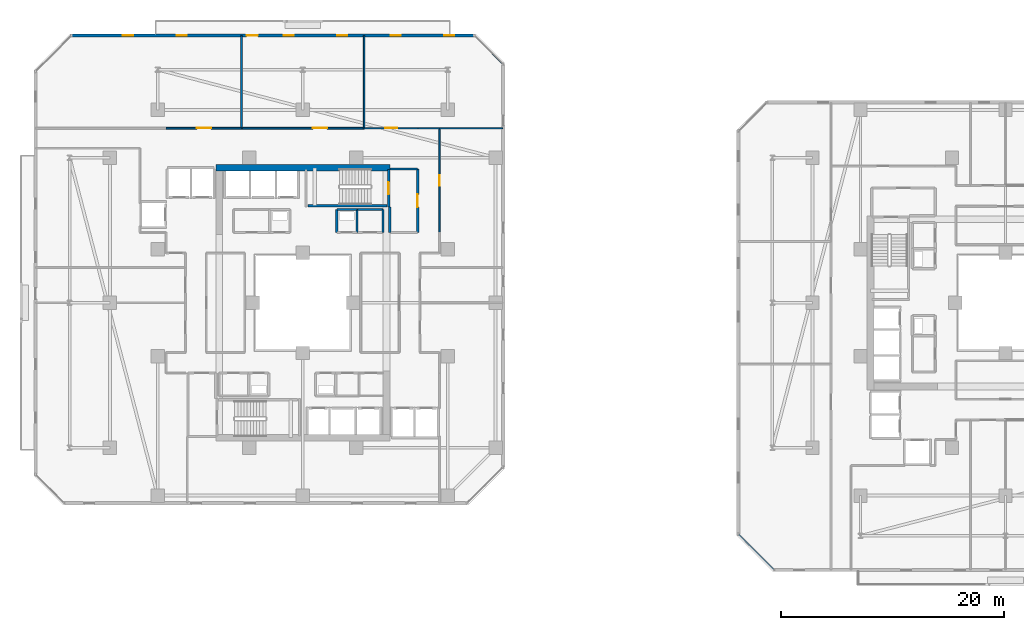
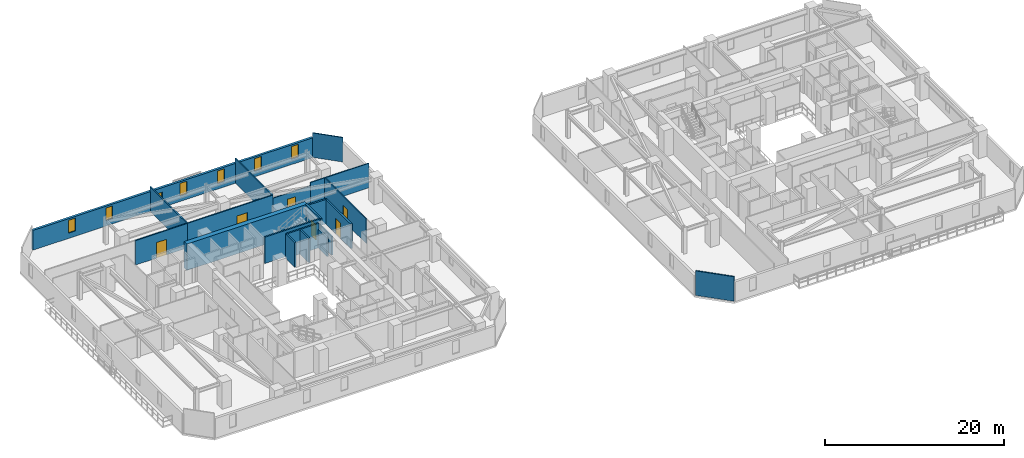
# One storey, part 22 of 33: 22 walls, 7 doors, 6 windows, 13 openings.
"""IFC4 building model written with IfcOpenShell, lengths in metres."""

from ifc_helpers import new_model, si_unit, direction, frame, frame_2d, origin, place, context, subcontext, project, spatial, rectangle, extrude, material, layer, layer_set, type_object, element, fill, save


model = new_model("IFC4")

# Units and contexts
model_context = context("Model", 3, precision=1e-05, world=origin(), true_north=direction((0.0, 1.0)))
body_context = subcontext(model_context, "Body", "Model", "MODEL_VIEW")
ifc_project = project(units=[si_unit("LENGTHUNIT", "METRE"), si_unit("AREAUNIT", "SQUARE_METRE"), si_unit("VOLUMEUNIT", "CUBIC_METRE"), si_unit("PLANEANGLEUNIT", "RADIAN"), si_unit("MASSUNIT", "GRAM", prefix="KILO")], contexts=[model_context])

# Site, building, storey
site_placement = place(None, origin())
site = spatial("IfcSite", under=ifc_project, at=site_placement, CompositionType="ELEMENT")
building_placement = place(site_placement, origin())
building = spatial("IfcBuilding", under=site, at=building_placement, Name="Thornwick Lancets Civic Towers", CompositionType="ELEMENT")
storey_placement = place(building_placement, frame((0.0, 0.0, 108.89990234375)))
storey = spatial("IfcBuildingStorey", under=building, at=storey_placement, Name="L28", CompositionType="ELEMENT", Elevation=108.89990234375)

# Wall, opening, door
ifc_material_1 = material(Name="Concrete blockwork C40/50", Category="masonry")
ifc_layer_1 = layer(ifc_material_1, 0.199951171875, Name="Concrete blockwork C40/50")
ifc_layer_set_1 = layer_set([ifc_layer_1], Name="Concrete blockwork C40/50")
wall_type_1 = type_object("IfcWallType", Name="WALL_COMP_200", PredefinedType="STANDARD", material=ifc_layer_set_1)
wall_1_placement = place(storey_placement, frame((35.800048828125, 33.300048828125, 0.0), z_axis=(0.0, 0.0, 1.0), x_axis=(0.0, 1.0, 0.0)))
wall_1 = element("IfcWall", 1, at=wall_1_placement, inside=storey, type_object=wall_type_1, Name="L28 Partition L28-A-FFLOB2 E2", PredefinedType="STANDARD", context=body_context, shape_type="SweptSolid", body=[
    extrude(rectangle(XDim=5.699951171875, YDim=0.199951171875, at=frame_2d((2.85009765625, 0.0))), origin(), (0.0, 0.0, 1.0), 3.340087890625),
])
opening_1_placement = place(wall_1_placement, frame((2.27490234375, 0.0, 0.0)))
opening_1 = element("IfcOpeningElement", 2, at=opening_1_placement, cuts=wall_1, Name="Opening D-L28-1274", PredefinedType="OPENING", context=body_context, shape_type="SweptSolid", body=[
    extrude(rectangle(XDim=1.14990234375, YDim=2.10009765625, at=frame_2d((0.574951171875, 1.050048828125))), frame((0.0, 0.10986328125, 0.0), z_axis=(0.0, -1.0, 0.0), x_axis=(1.0, 0.0, 0.0)), (0.0, 0.0, 1.0), 0.219970703125),
])
ifc_material_2 = material(Name="Glazed fire-resisting steel", Category="steel")
door_type_1 = type_object("IfcDoorType", Name="DOOR_LOBBY_FD60", OperationType="NOTDEFINED", PredefinedType="DOOR", material=ifc_material_2)
door_1_placement = place(opening_1_placement, origin())
door_1 = element("IfcDoor", 3, at=door_1_placement, inside=storey, type_object=door_type_1, Name="L28 North Firefighting Lobby 2 Door", OperationType="SINGLE_SWING_LEFT", OverallHeight=2.10009765625, OverallWidth=1.14990234375, PredefinedType="DOOR", context=body_context, shape_type="SweptSolid", body=[
    extrude(rectangle(XDim=1.14990234375, YDim=2.10009765625, at=frame_2d((0.574951171875, 1.050048828125))), frame((0.0, 0.02490234375, 0.0), z_axis=(0.0, -1.0, 0.0), x_axis=(1.0, 0.0, 0.0)), (0.0, 0.0, 1.0), 0.050048828125),
])
fill(opening_1, door_1)

# Walls
wall_2_placement = place(storey_placement, frame((35.800048828125, 39.0, 0.0), z_axis=(0.0, 0.0, 1.0), x_axis=(-1.0, 0.0, 0.0)))
element("IfcWall", 4, at=wall_2_placement, inside=storey, type_object=wall_type_1, Name="L28 Partition L28-A-FFLOB2 E3", PredefinedType="STANDARD", context=body_context, shape_type="SweptSolid", body=[
    extrude(rectangle(XDim=2.5, YDim=0.199951171875, at=frame_2d((1.25, 0.0))), origin(), (0.0, 0.0, 1.0), 3.340087890625),
])
wall_3_placement = place(storey_placement, frame((33.300048828125, 35.60009765625, 0.0), z_axis=(0.0, 0.0, 1.0), x_axis=(0.0, -1.0, 0.0)))
element("IfcWall", 5, at=wall_3_placement, inside=storey, type_object=wall_type_1, Name="L28 Partition L28-A-FFLOB2 E4", PredefinedType="STANDARD", context=body_context, shape_type="SweptSolid", body=[
    extrude(rectangle(XDim=2.300048828125, YDim=0.199951171875, at=frame_2d((1.14990234375, 0.0))), origin(), (0.0, 0.0, 1.0), 2.545166015625),
])
wall_4_placement = place(storey_placement, frame((30.35009765625, 33.300048828125, 0.0), z_axis=(0.0, 0.0, 1.0), x_axis=(0.0, 1.0, 0.0)))
element("IfcWall", 6, at=wall_4_placement, inside=storey, type_object=wall_type_1, Name="L28 Partition L28-A-RISER2 E2", PredefinedType="STANDARD", context=body_context, shape_type="SweptSolid", body=[
    extrude(rectangle(XDim=2.050048828125, YDim=0.199951171875, at=frame_2d((1.02490234375, 0.0))), origin(), (0.0, 0.0, 1.0), 3.340087890625),
])
wall_5_placement = place(storey_placement, frame((30.35009765625, 35.35009765625, 0.0), z_axis=(0.0, 0.0, 1.0), x_axis=(-1.0, 0.0, 0.0)))
element("IfcWall", 7, at=wall_5_placement, inside=storey, type_object=wall_type_1, Name="L28 Partition L28-A-RISER2 E3", PredefinedType="STANDARD", context=body_context, shape_type="SweptSolid", body=[
    extrude(rectangle(XDim=1.800048828125, YDim=0.199951171875, at=frame_2d((0.89990234375, 0.0))), origin(), (0.0, 0.0, 1.0), 3.340087890625),
])
wall_6_placement = place(storey_placement, frame((28.550048828125, 35.35009765625, 0.0), z_axis=(0.0, 0.0, 1.0), x_axis=(0.0, -1.0, 0.0)))
element("IfcWall", 8, at=wall_6_placement, inside=storey, type_object=wall_type_1, Name="L28 Partition L28-A-RISER2 E4", PredefinedType="STANDARD", context=body_context, shape_type="SweptSolid", body=[
    extrude(rectangle(XDim=2.050048828125, YDim=0.199951171875, at=frame_2d((1.02490234375, 0.0))), origin(), (0.0, 0.0, 1.0), 3.340087890625),
])
wall_7_placement = place(storey_placement, frame((32.699951171875, 35.35009765625, 0.0), z_axis=(0.0, 0.0, 1.0), x_axis=(0.0, -1.0, 0.0)))
element("IfcWall", 9, at=wall_7_placement, inside=storey, type_object=wall_type_1, Name="L28 Partition L28-A-STR E1", PredefinedType="STANDARD", context=body_context, shape_type="SweptSolid", body=[
    extrude(rectangle(XDim=2.050048828125, YDim=0.199951171875, at=frame_2d((1.02490234375, 0.0))), origin(), (0.0, 0.0, 1.0), 2.545166015625),
])
wall_8_placement = place(storey_placement, frame((30.35009765625, 35.35009765625, 0.0), z_axis=(0.0, 0.0, 1.0), x_axis=(1.0, 0.0, 0.0)))
element("IfcWall", 10, at=wall_8_placement, inside=storey, type_object=wall_type_1, Name="L28 Partition L28-A-STR E4", PredefinedType="STANDARD", context=body_context, shape_type="SweptSolid", body=[
    extrude(rectangle(XDim=2.349853515625, YDim=0.199951171875, at=frame_2d((1.1748046875, 0.0))), origin(), (0.0, 0.0, 1.0), 3.340087890625),
])
ifc_material_3 = material(Name="Concrete C60/75", Category="concrete")
ifc_layer_2 = layer(ifc_material_3, 0.60009765625, Name="Concrete C60/75")
ifc_layer_set_2 = layer_set([ifc_layer_2], Name="Concrete C60/75")
wall_type_2 = type_object("IfcWallType", Name="WALL_CORE_600", PredefinedType="SHEAR", material=ifc_layer_set_2)
wall_9_placement = place(storey_placement, frame((17.699951171875, 39.10009765625, 0.0), z_axis=(0.0, 0.0, 1.0), x_axis=(1.0, 0.0, 0.0)))
element("IfcWall", 11, at=wall_9_placement, inside=storey, type_object=wall_type_2, Name="L28 Split Core A2 Shear Wall N", PredefinedType="SHEAR", context=body_context, shape_type="SweptSolid", body=[
    extrude(rectangle(XDim=15.60009765625, YDim=0.60009765625, at=frame_2d((7.800048828125, 0.0))), origin(), (0.0, 0.0, 1.0), 3.60009765625),
])

# Wall, openings, door, windows
ifc_material_4 = material(Name="Insulated russet terracotta rainscreen on concrete C40/50", Category="masonry")
ifc_layer_3 = layer(ifc_material_4, 0.300048828125, Name="Insulated russet terracotta rainscreen on concrete C40/50")
ifc_layer_set_3 = layer_set([ifc_layer_3], Name="Insulated russet terracotta rainscreen on concrete C40/50")
wall_type_3 = type_object("IfcWallType", Name="WALL_EXT_RUSSET_300", PredefinedType="STANDARD", material=ifc_layer_set_3)
wall_10_placement = place(storey_placement, frame((40.88134765625, 50.964599609375, 0.0), z_axis=(0.0, 0.0, 1.0), x_axis=(-0.999999998537, -5.4088042e-05, 0.0)))
wall_10 = element("IfcWall", 12, at=wall_10_placement, inside=storey, type_object=wall_type_3, Name="L28 Tower A Terracotta Facade Wall E4", PredefinedType="STANDARD", context=body_context, shape_type="SweptSolid", body=[
    extrude(rectangle(XDim=36.110107421875, YDim=0.300048828125, at=frame_2d((18.05517578125, 0.0))), origin(), (0.0, 0.0, 1.0), 2.7001953125),
])
opening_2_placement = place(wall_10_placement, frame((19.405029296875, 0.0, 0.0)))
opening_2 = element("IfcOpeningElement", 13, at=opening_2_placement, cuts=wall_10, Name="Opening D-BL-L28-AN", PredefinedType="OPENING", context=body_context, shape_type="SweptSolid", body=[
    extrude(rectangle(XDim=1.0, YDim=2.080078125, at=frame_2d((0.5, 1.0400390625))), frame((0.0, 0.16015625, 0.0), z_axis=(0.0, -1.0, 0.0), x_axis=(1.0, 0.0, 0.0)), (0.0, 0.0, 1.0), 0.320068359375),
])
opening_3_placement = place(wall_10_placement, frame((1.800048828125, 0.0, 0.719970703125)))
opening_3 = element("IfcOpeningElement", 14, at=opening_3_placement, cuts=wall_10, Name="Opening WL-01", PredefinedType="OPENING", context=body_context, shape_type="SweptSolid", body=[
    extrude(rectangle(XDim=0.89990234375, YDim=1.75, at=frame_2d((0.449951171875, 0.875))), frame((0.0, 0.16015625, 0.0), z_axis=(0.0, -1.0, 0.0), x_axis=(1.0, 0.0, 0.0)), (0.0, 0.0, 1.0), 0.320068359375),
])
opening_4_placement = place(wall_10_placement, frame((6.60009765625, 0.0, 0.719970703125)))
opening_4 = element("IfcOpeningElement", 15, at=opening_4_placement, cuts=wall_10, Name="Opening WL-01", PredefinedType="OPENING", context=body_context, shape_type="SweptSolid", body=[
    extrude(rectangle(XDim=0.89990234375, YDim=1.75, at=frame_2d((0.449951171875, 0.875))), frame((0.0, 0.16015625, 0.0), z_axis=(0.0, -1.0, 0.0), x_axis=(1.0, 0.0, 0.0)), (0.0, 0.0, 1.0), 0.320068359375),
])
opening_5_placement = place(wall_10_placement, frame((11.39990234375, 0.0, 0.719970703125)))
opening_5 = element("IfcOpeningElement", 16, at=opening_5_placement, cuts=wall_10, Name="Opening WL-01", PredefinedType="OPENING", context=body_context, shape_type="SweptSolid", body=[
    extrude(rectangle(XDim=0.89990234375, YDim=1.75, at=frame_2d((0.449951171875, 0.875))), frame((0.0, 0.16015625, 0.0), z_axis=(0.0, -1.0, 0.0), x_axis=(1.0, 0.0, 0.0)), (0.0, 0.0, 1.0), 0.320068359375),
])
opening_6_placement = place(wall_10_placement, frame((16.199951171875, 0.0, 0.719970703125)))
opening_6 = element("IfcOpeningElement", 17, at=opening_6_placement, cuts=wall_10, Name="Opening WL-01", PredefinedType="OPENING", context=body_context, shape_type="SweptSolid", body=[
    extrude(rectangle(XDim=0.89990234375, YDim=1.75, at=frame_2d((0.449951171875, 0.875))), frame((0.0, 0.16015625, 0.0), z_axis=(0.0, -1.0, 0.0), x_axis=(1.0, 0.0, 0.0)), (0.0, 0.0, 1.0), 0.320068359375),
])
opening_7_placement = place(wall_10_placement, frame((25.800048828125, 0.0, 0.719970703125)))
opening_7 = element("IfcOpeningElement", 18, at=opening_7_placement, cuts=wall_10, Name="Opening WL-01", PredefinedType="OPENING", context=body_context, shape_type="SweptSolid", body=[
    extrude(rectangle(XDim=0.89990234375, YDim=1.75, at=frame_2d((0.449951171875, 0.875))), frame((0.0, 0.16015625, 0.0), z_axis=(0.0, -1.0, 0.0), x_axis=(1.0, 0.0, 0.0)), (0.0, 0.0, 1.0), 0.320068359375),
])
opening_8_placement = place(wall_10_placement, frame((30.60009765625, 0.0, 0.719970703125)))
opening_8 = element("IfcOpeningElement", 19, at=opening_8_placement, cuts=wall_10, Name="Opening WL-01", PredefinedType="OPENING", context=body_context, shape_type="SweptSolid", body=[
    extrude(rectangle(XDim=0.89990234375, YDim=1.75, at=frame_2d((0.449951171875, 0.875))), frame((0.0, 0.16015625, 0.0), z_axis=(0.0, -1.0, 0.0), x_axis=(1.0, 0.0, 0.0)), (0.0, 0.0, 1.0), 0.320068359375),
])
ifc_material_5 = material(Name="Thermally broken glazed loggia doorset")
door_type_2 = type_object("IfcDoorType", Name="DOOR_BALC_1000", OperationType="NOTDEFINED", PredefinedType="DOOR", material=ifc_material_5)
door_2_placement = place(opening_2_placement, origin())
door_2 = element("IfcDoor", 20, at=door_2_placement, inside=storey, type_object=door_type_2, Name="L28 Tower A Loggia Balcony Door N", OperationType="SINGLE_SWING_LEFT", OverallHeight=2.080078125, OverallWidth=1.0, PredefinedType="DOOR", context=body_context, shape_type="SweptSolid", body=[
    extrude(rectangle(XDim=1.0, YDim=2.080078125, at=frame_2d((0.5, 1.0400390625))), frame((0.0, 0.02490234375, 0.0), z_axis=(0.0, -1.0, 0.0), x_axis=(1.0, 0.0, 0.0)), (0.0, 0.0, 1.0), 0.050048828125),
])
fill(opening_2, door_2)
ifc_material_6 = material(Name="Clear low-e double glazing in bronze frame", Category="glass")
window_type = type_object("IfcWindowType", Name="WIN_LANCET_900", PartitioningType="SINGLE_PANEL", PredefinedType="WINDOW", material=ifc_material_6)
window_1_placement = place(opening_3_placement, origin())
window_1 = element("IfcWindow", 21, at=window_1_placement, inside=storey, type_object=window_type, Name="L28 Tower A Staggered Lancet Window E4-1", OverallHeight=1.75, OverallWidth=0.89990234375, PartitioningType="SINGLE_PANEL", PredefinedType="WINDOW", context=body_context, shape_type="SweptSolid", body=[
    extrude(rectangle(XDim=0.89990234375, YDim=1.75, at=frame_2d((0.449951171875, 0.875))), frame((0.0, 0.030029296875, 0.0), z_axis=(0.0, -1.0, 0.0), x_axis=(1.0, 0.0, 0.0)), (0.0, 0.0, 1.0), 0.06005859375),
])
fill(opening_3, window_1)
window_2_placement = place(opening_4_placement, origin())
window_2 = element("IfcWindow", 22, at=window_2_placement, inside=storey, type_object=window_type, Name="L28 Tower A Staggered Lancet Window E4-2", OverallHeight=1.75, OverallWidth=0.89990234375, PartitioningType="SINGLE_PANEL", PredefinedType="WINDOW", context=body_context, shape_type="SweptSolid", body=[
    extrude(rectangle(XDim=0.89990234375, YDim=1.75, at=frame_2d((0.449951171875, 0.875))), frame((0.0, 0.030029296875, 0.0), z_axis=(0.0, -1.0, 0.0), x_axis=(1.0, 0.0, 0.0)), (0.0, 0.0, 1.0), 0.06005859375),
])
fill(opening_4, window_2)
window_3_placement = place(opening_5_placement, origin())
window_3 = element("IfcWindow", 23, at=window_3_placement, inside=storey, type_object=window_type, Name="L28 Tower A Staggered Lancet Window E4-3", OverallHeight=1.75, OverallWidth=0.89990234375, PartitioningType="SINGLE_PANEL", PredefinedType="WINDOW", context=body_context, shape_type="SweptSolid", body=[
    extrude(rectangle(XDim=0.89990234375, YDim=1.75, at=frame_2d((0.449951171875, 0.875))), frame((0.0, 0.030029296875, 0.0), z_axis=(0.0, -1.0, 0.0), x_axis=(1.0, 0.0, 0.0)), (0.0, 0.0, 1.0), 0.06005859375),
])
fill(opening_5, window_3)
window_4_placement = place(opening_6_placement, origin())
window_4 = element("IfcWindow", 24, at=window_4_placement, inside=storey, type_object=window_type, Name="L28 Tower A Staggered Lancet Window E4-4", OverallHeight=1.75, OverallWidth=0.89990234375, PartitioningType="SINGLE_PANEL", PredefinedType="WINDOW", context=body_context, shape_type="SweptSolid", body=[
    extrude(rectangle(XDim=0.89990234375, YDim=1.75, at=frame_2d((0.449951171875, 0.875))), frame((0.0, 0.030029296875, 0.0), z_axis=(0.0, -1.0, 0.0), x_axis=(1.0, 0.0, 0.0)), (0.0, 0.0, 1.0), 0.06005859375),
])
fill(opening_6, window_4)
window_5_placement = place(opening_7_placement, origin())
window_5 = element("IfcWindow", 25, at=window_5_placement, inside=storey, type_object=window_type, Name="L28 Tower A Staggered Lancet Window E4-5", OverallHeight=1.75, OverallWidth=0.89990234375, PartitioningType="SINGLE_PANEL", PredefinedType="WINDOW", context=body_context, shape_type="SweptSolid", body=[
    extrude(rectangle(XDim=0.89990234375, YDim=1.75, at=frame_2d((0.449951171875, 0.875))), frame((0.0, 0.030029296875, 0.0), z_axis=(0.0, -1.0, 0.0), x_axis=(1.0, 0.0, 0.0)), (0.0, 0.0, 1.0), 0.06005859375),
])
fill(opening_7, window_5)
window_6_placement = place(opening_8_placement, origin())
window_6 = element("IfcWindow", 26, at=window_6_placement, inside=storey, type_object=window_type, Name="L28 Tower A Staggered Lancet Window E4-6", OverallHeight=1.75, OverallWidth=0.89990234375, PartitioningType="SINGLE_PANEL", PredefinedType="WINDOW", context=body_context, shape_type="SweptSolid", body=[
    extrude(rectangle(XDim=0.89990234375, YDim=1.75, at=frame_2d((0.449951171875, 0.875))), frame((0.0, 0.030029296875, 0.0), z_axis=(0.0, -1.0, 0.0), x_axis=(1.0, 0.0, 0.0)), (0.0, 0.0, 1.0), 0.06005859375),
])
fill(opening_8, window_6)

# Wall, opening, door
ifc_material_7 = material(Name="Acoustic gypsum board partition")
ifc_layer_4 = layer(ifc_material_7, 0.1201171875, Name="Acoustic gypsum board partition")
ifc_layer_set_4 = layer_set([ifc_layer_4], Name="Acoustic gypsum board partition")
wall_type_4 = type_object("IfcWallType", Name="WALL_PART_120", PredefinedType="PARTITIONING", material=ifc_layer_set_4)
wall_11_placement = place(storey_placement, frame((37.75, 33.300048828125, 0.0), z_axis=(0.0, 0.0, 1.0), x_axis=(0.0, 1.0, 0.0)))
wall_11 = element("IfcWall", 27, at=wall_11_placement, inside=storey, type_object=wall_type_4, Name="L28 Partition L28-A-E3 E3", PredefinedType="PARTITIONING", context=body_context, shape_type="SweptSolid", body=[
    extrude(rectangle(XDim=9.349853515625, YDim=0.1201171875, at=frame_2d((4.6748046875, 0.0))), origin(), (0.0, 0.0, 1.0), 3.340087890625),
])
opening_9_placement = place(wall_11_placement, frame((4.199951171875, 0.0, 0.0)))
opening_9 = element("IfcOpeningElement", 28, at=opening_9_placement, cuts=wall_11, Name="Opening D-L28-1300", PredefinedType="OPENING", context=body_context, shape_type="SweptSolid", body=[
    extrude(rectangle(XDim=0.949951171875, YDim=2.10009765625, at=frame_2d((0.47509765625, 1.050048828125))), frame((0.0, 0.070068359375, 0.0), z_axis=(0.0, -1.0, 0.0), x_axis=(1.0, 0.0, 0.0)), (0.0, 0.0, 1.0), 0.14013671875),
])
ifc_material_8 = material(Name="European oak acoustic doorset")
door_type_3 = type_object("IfcDoorType", Name="DOOR_OFFICE_950", OperationType="NOTDEFINED", PredefinedType="DOOR", material=ifc_material_8)
door_3_placement = place(opening_9_placement, origin())
door_3 = element("IfcDoor", 29, at=door_3_placement, inside=storey, type_object=door_type_3, Name="L28 Tower A Civic Seminar Room Door", OperationType="SINGLE_SWING_LEFT", OverallHeight=2.10009765625, OverallWidth=0.949951171875, PredefinedType="DOOR", context=body_context, shape_type="SweptSolid", body=[
    extrude(rectangle(XDim=0.949951171875, YDim=2.10009765625, at=frame_2d((0.47509765625, 1.050048828125))), frame((0.0, 0.02490234375, 0.0), z_axis=(0.0, -1.0, 0.0), x_axis=(1.0, 0.0, 0.0)), (0.0, 0.0, 1.0), 0.050048828125),
])
fill(opening_9, door_3)

# Walls
wall_12_placement = place(storey_placement, frame((37.75, 42.64990234375, 0.0), z_axis=(0.0, 0.0, 1.0), x_axis=(1.0, 0.0, 0.0)))
element("IfcWall", 30, at=wall_12_placement, inside=storey, type_object=wall_type_4, Name="L28 Partition L28-A-E3 E4", PredefinedType="PARTITIONING", context=body_context, shape_type="SweptSolid", body=[
    extrude(rectangle(XDim=5.669921875, YDim=0.1201171875, at=frame_2d((2.8349609375, 0.0))), origin(), (0.0, 0.0, 1.0), 3.340087890625),
])
wall_13_placement = place(storey_placement, frame((37.75, 42.64990234375, 0.0), z_axis=(0.0, 0.0, 1.0), x_axis=(-1.0, 0.0, 0.0)))
element("IfcWall", 31, at=wall_13_placement, inside=storey, type_object=wall_type_4, Name="L28 Partition L28-A-N-OFF E1", PredefinedType="PARTITIONING", context=body_context, shape_type="SweptSolid", body=[
    extrude(rectangle(XDim=1.89990234375, YDim=0.1201171875, at=frame_2d((0.949951171875, 0.0))), origin(), (0.0, 0.0, 1.0), 3.340087890625),
])

# Wall, opening, door
wall_14_placement = place(storey_placement, frame((35.85009765625, 42.64990234375, 0.0), z_axis=(0.0, 0.0, 1.0), x_axis=(-1.0, 0.0, 0.0)))
wall_14 = element("IfcWall", 32, at=wall_14_placement, inside=storey, type_object=wall_type_4, Name="L28 Partition L28-A-N-OFF E2", PredefinedType="PARTITIONING", context=body_context, shape_type="SweptSolid", body=[
    extrude(rectangle(XDim=4.85009765625, YDim=0.1201171875, at=frame_2d((2.425048828125, 0.0))), origin(), (0.0, 0.0, 1.0), 2.89501953125),
])
opening_10_placement = place(wall_14_placement, frame((1.89990234375, 0.0, 0.0)))
opening_10 = element("IfcOpeningElement", 33, at=opening_10_placement, cuts=wall_14, Name="Opening D-L28-1305", PredefinedType="OPENING", context=body_context, shape_type="SweptSolid", body=[
    extrude(rectangle(XDim=1.050048828125, YDim=2.10009765625, at=frame_2d((0.52490234375, 1.050048828125))), frame((0.0, 0.070068359375, 0.0), z_axis=(0.0, -1.0, 0.0), x_axis=(1.0, 0.0, 0.0)), (0.0, 0.0, 1.0), 0.14013671875),
])
ifc_material_9 = material(Name="Glazed European oak executive doorset")
door_type_4 = type_object("IfcDoorType", Name="DOOR_OFFICE_1050", OperationType="NOTDEFINED", PredefinedType="DOOR", material=ifc_material_9)
door_4_placement = place(opening_10_placement, origin())
door_4 = element("IfcDoor", 34, at=door_4_placement, inside=storey, type_object=door_type_4, Name="L28 Tower A North-East Policy Office Door", OperationType="SINGLE_SWING_RIGHT", OverallHeight=2.10009765625, OverallWidth=1.050048828125, PredefinedType="DOOR", context=body_context, shape_type="SweptSolid", body=[
    extrude(rectangle(XDim=1.050048828125, YDim=2.10009765625, at=frame_2d((0.52490234375, 1.050048828125))), frame((0.0, 0.02490234375, 0.0), z_axis=(0.0, -1.0, 0.0), x_axis=(1.0, 0.0, 0.0)), (0.0, 0.0, 1.0), 0.050048828125),
])
fill(opening_10, door_4)

# Walls
wall_15_placement = place(storey_placement, frame((40.92529296875, 50.919921875, 0.0), z_axis=(0.0, 0.0, 1.0), x_axis=(0.707106781187, -0.707106781187, 0.0)))
element("IfcWall", 35, at=wall_15_placement, inside=storey, type_object=wall_type_4, Name="L28 Partition L28-A-N-OFF E5", PredefinedType="PARTITIONING", context=body_context, shape_type="SweptSolid", body=[
    extrude(rectangle(XDim=3.52783203125, YDim=0.1201171875, at=frame_2d((1.763916015625, 0.0))), origin(), (0.0, 0.0, 1.0), 3.340087890625),
])
ifc_material_10 = material(Name="Twin-stud acoustic gypsum board")
ifc_layer_5 = layer(ifc_material_10, 0.14990234375, Name="Twin-stud acoustic gypsum board")
ifc_layer_set_5 = layer_set([ifc_layer_5], Name="Twin-stud acoustic gypsum board")
wall_type_5 = type_object("IfcWallType", Name="WALL_PART_150", PredefinedType="PARTITIONING", material=ifc_layer_set_5)
wall_16_placement = place(storey_placement, frame((20.0, 50.919921875, 0.0), z_axis=(0.0, 0.0, 1.0), x_axis=(0.0, -1.0, 0.0)))
element("IfcWall", 36, at=wall_16_placement, inside=storey, type_object=wall_type_5, Name="L28 Partition L28-A-N-CONF E5", PredefinedType="PARTITIONING", context=body_context, shape_type="SweptSolid", body=[
    extrude(rectangle(XDim=8.27001953125, YDim=0.14990234375, at=frame_2d((4.135009765625, 0.0))), origin(), (0.0, 0.0, 1.0), 3.340087890625),
])

# Wall, opening, door
wall_17_placement = place(storey_placement, frame((20.0, 42.64990234375, 0.0), z_axis=(0.0, 0.0, 1.0), x_axis=(-1.0, 0.0, 0.0)))
wall_17 = element("IfcWall", 37, at=wall_17_placement, inside=storey, type_object=wall_type_5, Name="L28 Partition L28-A-N-CONF E6", PredefinedType="PARTITIONING", context=body_context, shape_type="SweptSolid", body=[
    extrude(rectangle(XDim=6.75, YDim=0.14990234375, at=frame_2d((3.375, 0.0))), origin(), (0.0, 0.0, 1.0), 3.340087890625),
])
opening_11_placement = place(wall_17_placement, frame((2.72509765625, 0.0, 0.0)))
opening_11 = element("IfcOpeningElement", 38, at=opening_11_placement, cuts=wall_17, Name="Opening D-L28-1303", PredefinedType="OPENING", context=body_context, shape_type="SweptSolid", body=[
    extrude(rectangle(XDim=1.300048828125, YDim=2.1201171875, at=frame_2d((0.64990234375, 1.06005859375))), frame((0.0, 0.0849609375, 0.0), z_axis=(0.0, -1.0, 0.0), x_axis=(1.0, 0.0, 0.0)), (0.0, 0.0, 1.0), 0.169921875),
])
ifc_material_11 = material(Name="Acoustic oak leaf-and-a-half doorset")
door_type_5 = type_object("IfcDoorType", Name="DOOR_MEET_1300", OperationType="DOUBLE_DOOR_SINGLE_SWING", PredefinedType="DOOR", material=ifc_material_11)
door_5_placement = place(opening_11_placement, origin())
door_5 = element("IfcDoor", 39, at=door_5_placement, inside=storey, type_object=door_type_5, Name="L28 Tower A North-West Conference Room Door", OperationType="DOUBLE_DOOR_SINGLE_SWING", OverallHeight=2.1201171875, OverallWidth=1.300048828125, PredefinedType="DOOR", context=body_context, shape_type="SweptSolid", body=[
    extrude(rectangle(XDim=1.300048828125, YDim=2.1201171875, at=frame_2d((0.64990234375, 1.06005859375))), frame((0.0, 0.02490234375, 0.0), z_axis=(0.0, -1.0, 0.0), x_axis=(1.0, 0.0, 0.0)), (0.0, 0.0, 1.0), 0.050048828125),
])
fill(opening_11, door_5)

# Wall
wall_18_placement = place(storey_placement, frame((31.0, 50.919921875, 0.0), z_axis=(0.0, 0.0, 1.0), x_axis=(0.0, -1.0, 0.0)))
element("IfcWall", 40, at=wall_18_placement, inside=storey, type_object=wall_type_5, Name="L28 Partition L28-A-N-MEET E3", PredefinedType="PARTITIONING", context=body_context, shape_type="SweptSolid", body=[
    extrude(rectangle(XDim=8.27001953125, YDim=0.14990234375, at=frame_2d((4.135009765625, 0.0))), origin(), (0.0, 0.0, 1.0), 3.340087890625),
])

# Wall, opening, door
wall_19_placement = place(storey_placement, frame((31.0, 42.64990234375, 0.0), z_axis=(0.0, 0.0, 1.0), x_axis=(-1.0, 0.0, 0.0)))
wall_19 = element("IfcWall", 41, at=wall_19_placement, inside=storey, type_object=wall_type_5, Name="L28 Partition L28-A-N-MEET E4", PredefinedType="PARTITIONING", context=body_context, shape_type="SweptSolid", body=[
    extrude(rectangle(XDim=11.0, YDim=0.14990234375, at=frame_2d((5.5, 0.0))), origin(), (0.0, 0.0, 1.0), 3.340087890625),
])
opening_12_placement = place(wall_19_placement, frame((3.31005859375, 0.0, 0.0)))
opening_12 = element("IfcOpeningElement", 42, at=opening_12_placement, cuts=wall_19, Name="Opening D-L28-1304", PredefinedType="OPENING", context=body_context, shape_type="SweptSolid", body=[
    extrude(rectangle(XDim=1.300048828125, YDim=2.1201171875, at=frame_2d((0.64990234375, 1.06005859375))), frame((0.0, 0.0849609375, 0.0), z_axis=(0.0, -1.0, 0.0), x_axis=(1.0, 0.0, 0.0)), (0.0, 0.0, 1.0), 0.169921875),
])
door_6_placement = place(opening_12_placement, origin())
door_6 = element("IfcDoor", 43, at=door_6_placement, inside=storey, type_object=door_type_5, Name="L28 Tower A North Briefing Chamber Door", OperationType="DOUBLE_DOOR_SINGLE_SWING", OverallHeight=2.1201171875, OverallWidth=1.300048828125, PredefinedType="DOOR", context=body_context, shape_type="SweptSolid", body=[
    extrude(rectangle(XDim=1.300048828125, YDim=2.1201171875, at=frame_2d((0.64990234375, 1.06005859375))), frame((0.0, 0.02490234375, 0.0), z_axis=(0.0, -1.0, 0.0), x_axis=(1.0, 0.0, 0.0)), (0.0, 0.0, 1.0), 0.050048828125),
])
fill(opening_12, door_6)

# Wall
wall_20_placement = place(storey_placement, frame((67.7294921875, 3.080078125, 0.0), z_axis=(0.0, 0.0, 1.0), x_axis=(-0.707106781187, 0.707106781187, 0.0)))
element("IfcWall", 44, at=wall_20_placement, inside=storey, type_object=wall_type_5, Name="L28 Partition L28-B-N-CONF E3", PredefinedType="PARTITIONING", context=body_context, shape_type="SweptSolid", body=[
    extrude(rectangle(XDim=4.453857421875, YDim=0.14990234375, at=frame_2d((2.22705078125, 0.0))), origin(), (0.0, 0.0, 1.0), 3.340087890625),
])

# Wall, opening, door
ifc_material_12 = material(Name="Concrete C40/50", Category="concrete")
ifc_layer_6 = layer(ifc_material_12, 0.199951171875, Name="Concrete C40/50")
ifc_layer_set_6 = layer_set([ifc_layer_6], Name="Concrete C40/50")
wall_type_6 = type_object("IfcWallType", Name="WALL_SHAFT_200", PredefinedType="SHEAR", material=ifc_layer_set_6)
wall_21_placement = place(storey_placement, frame((33.199951171875, 38.949951171875, 0.0), z_axis=(0.0, 0.0, 1.0), x_axis=(0.0, -1.0, 0.0)))
wall_21 = element("IfcWall", 45, at=wall_21_placement, inside=storey, type_object=wall_type_6, Name="L28 ST-A2 Fire Stair Core Wall NEAR", PredefinedType="SHEAR", context=body_context, shape_type="SweptSolid", body=[
    extrude(rectangle(XDim=3.349853515625, YDim=0.199951171875, at=frame_2d((1.6748046875, 0.0))), origin(), (0.0, 0.0, 1.0), 3.60009765625),
])
opening_13_placement = place(wall_21_placement, frame((1.125, 0.0, 0.0)))
opening_13 = element("IfcOpeningElement", 46, at=opening_13_placement, cuts=wall_21, Name="Opening D-ST-A2-L28", PredefinedType="OPENING", context=body_context, shape_type="SweptSolid", body=[
    extrude(rectangle(XDim=1.10009765625, YDim=2.10009765625, at=frame_2d((0.550048828125, 1.050048828125))), frame((0.0, 0.10986328125, 0.0), z_axis=(0.0, -1.0, 0.0), x_axis=(1.0, 0.0, 0.0)), (0.0, 0.0, 1.0), 0.219970703125),
])
ifc_material_13 = material(Name="Fire-resisting steel and hardwood", Category="steel")
door_type_6 = type_object("IfcDoorType", Name="DOOR_STAIR_FD60", OperationType="NOTDEFINED", PredefinedType="DOOR", material=ifc_material_13)
door_7_placement = place(opening_13_placement, origin())
door_7 = element("IfcDoor", 47, at=door_7_placement, inside=storey, type_object=door_type_6, Name="L28 ST-A2 Exit Stair Door", OperationType="SINGLE_SWING_LEFT", OverallHeight=2.10009765625, OverallWidth=1.10009765625, PredefinedType="DOOR", context=body_context, shape_type="SweptSolid", body=[
    extrude(rectangle(XDim=1.10009765625, YDim=2.10009765625, at=frame_2d((0.550048828125, 1.050048828125))), frame((0.0, 0.02490234375, 0.0), z_axis=(0.0, -1.0, 0.0), x_axis=(1.0, 0.0, 0.0)), (0.0, 0.0, 1.0), 0.050048828125),
])
fill(opening_13, door_7)

# Wall
wall_22_placement = place(storey_placement, frame((25.949951171875, 35.702880859375, 0.0), z_axis=(0.0, 0.0, 1.0), x_axis=(1.0, 0.0, 0.0)))
element("IfcWall", 48, at=wall_22_placement, inside=storey, type_object=wall_type_6, Name="L28 ST-A2 Fire Stair Core Wall RIGHT", PredefinedType="SHEAR", context=body_context, shape_type="SweptSolid", body=[
    extrude(rectangle(XDim=7.10009765625, YDim=0.199951171875, at=frame_2d((3.550048828125, 0.0))), origin(), (0.0, 0.0, 1.0), 3.60009765625),
])

save(model, "model.ifc")
